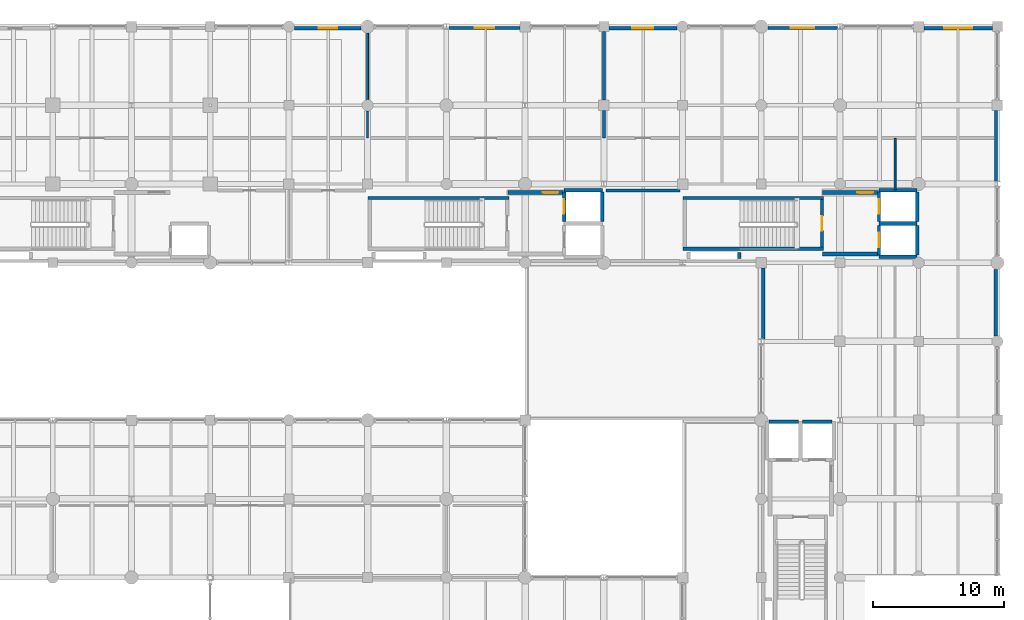
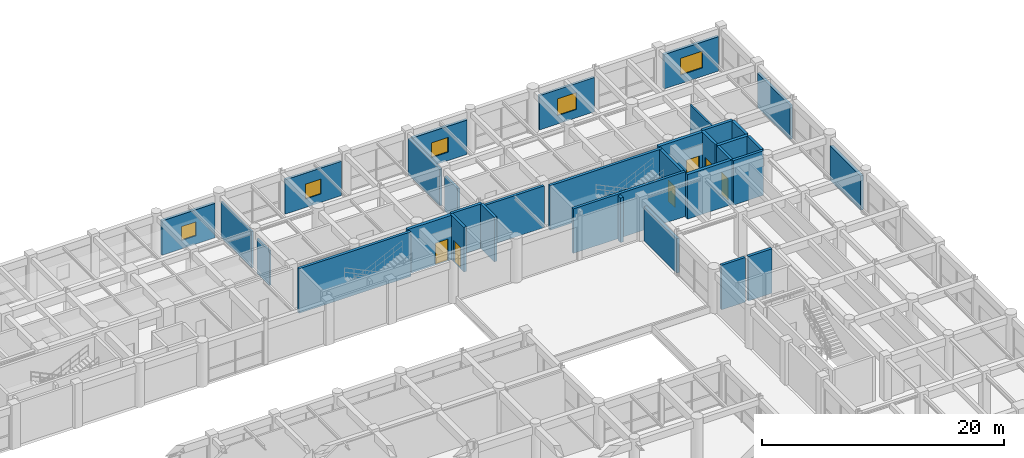
# One storey, part 109 of 133: 34 walls, 6 doors, 5 windows, 11 openings.
"""IFC4 building model written with IfcOpenShell, lengths in metres."""

from ifc_helpers import new_model, si_unit, direction, frame, frame_2d, origin, place, context, subcontext, project, spatial, rectangle, extrude, material, layer, layer_set, type_object, element, fill, save


model = new_model("IFC4")

# Units and contexts
model_context = context("Model", 3, precision=1e-05, world=origin(), true_north=direction((0.0, 1.0)))
body_context = subcontext(model_context, "Body", "Model", "MODEL_VIEW")
ifc_project = project(units=[si_unit("LENGTHUNIT", "METRE"), si_unit("AREAUNIT", "SQUARE_METRE"), si_unit("VOLUMEUNIT", "CUBIC_METRE"), si_unit("PLANEANGLEUNIT", "RADIAN"), si_unit("MASSUNIT", "GRAM", prefix="KILO"), si_unit("THERMODYNAMICTEMPERATUREUNIT", "KELVIN"), si_unit("POWERUNIT", "WATT")], contexts=[model_context])

# Site, building, storey
site_placement = place(None, origin())
site = spatial("IfcSite", under=ifc_project, at=site_placement, CompositionType="ELEMENT")
building_placement = place(site_placement, origin())
building = spatial("IfcBuilding", under=site, at=building_placement, Name="Phaisarnlok Congress Hotel", CompositionType="ELEMENT")
storey_placement = place(building_placement, frame((0.0, 0.0, 6.0)))
storey = spatial("IfcBuildingStorey", under=building, at=storey_placement, Name="L01", CompositionType="ELEMENT", Elevation=6.0)

# Wall
ifc_material_1 = material(Name="Concrete C40/50", Category="concrete")
ifc_layer_1 = layer(ifc_material_1, 0.22998046875, Name="Concrete C40/50")
ifc_layer_set_1 = layer_set([ifc_layer_1], Name="Concrete C40/50")
wall_type_1 = type_object("IfcWallType", Name="WL-EXT-230", PredefinedType="SOLIDWALL", material=ifc_layer_set_1)
wall_1_placement = place(storey_placement, frame((179.885009765625, 114.20458984375, 0.0), z_axis=(0.0, 0.0, 1.0), x_axis=(0.0, 1.0, 0.0)))
element("IfcWall", 1, at=wall_1_placement, inside=storey, type_object=wall_type_1, Name="Exterior wall EW-06 (L01)", PredefinedType="SOLIDWALL", context=body_context, shape_type="SweptSolid", body=[
    extrude(rectangle(XDim=5.390380859375, YDim=0.22998046875, at=frame_2d((2.6953125, 0.0))), origin(), (0.0, 0.0, 1.0), 3.469970703125),
])

# Wall, opening, window
wall_2_placement = place(storey_placement, frame((167.79443359375, 125.885009765625, 0.0), z_axis=(0.0, 0.0, 1.0), x_axis=(-1.0, 0.0, 0.0)))
wall_2 = element("IfcWall", 2, at=wall_2_placement, inside=storey, type_object=wall_type_1, Name="Exterior wall EW-06 (L01)", PredefinedType="SOLIDWALL", context=body_context, shape_type="SweptSolid", body=[
    extrude(rectangle(XDim=5.28955078125, YDim=0.22998046875, at=frame_2d((2.644775390625, 0.0))), origin(), (0.0, 0.0, 1.0), 3.469970703125),
])
opening_1_placement = place(wall_2_placement, frame((1.7451171875, 0.0, 0.85009765625)))
opening_1 = element("IfcOpeningElement", 3, at=opening_1_placement, cuts=wall_2, Name="Opening W-10", PredefinedType="OPENING", context=body_context, shape_type="SweptSolid", body=[
    extrude(rectangle(XDim=1.800048828125, YDim=1.699951171875, at=frame_2d((0.89990234375, 0.85009765625))), frame((0.0, 0.125, 0.0), z_axis=(0.0, -1.0, 0.0), x_axis=(1.0, 0.0, 0.0)), (0.0, 0.0, 1.0), 0.25),
])
ifc_material_2 = material(Name="Thermally Broken Aluminium & Low-E Double Glazing", Category="aluminium")
window_type_1 = type_object("IfcWindowType", Name="WIN-POD-1800", PartitioningType="SINGLE_PANEL", PredefinedType="WINDOW", material=ifc_material_2)
window_1_placement = place(opening_1_placement, origin())
window_1 = element("IfcWindow", 4, at=window_1_placement, inside=storey, type_object=window_type_1, Name="Podium window W-10 (L01)", OverallHeight=1.699951171875, OverallWidth=1.800048828125, PartitioningType="SINGLE_PANEL", PredefinedType="WINDOW", context=body_context, shape_type="SweptSolid", body=[
    extrude(rectangle(XDim=1.800048828125, YDim=1.699951171875, at=frame_2d((0.89990234375, 0.85009765625))), frame((0.0, 0.030029296875, 0.0), z_axis=(0.0, -1.0, 0.0), x_axis=(1.0, 0.0, 0.0)), (0.0, 0.0, 1.0), 0.06005859375),
])
fill(opening_1, window_1)

wall_3_placement = place(storey_placement, frame((143.594970703125, 125.885009765625, 0.0), z_axis=(0.0, 0.0, 1.0), x_axis=(-1.0, 0.0, 0.0)))
wall_3 = element("IfcWall", 5, at=wall_3_placement, inside=storey, type_object=wall_type_1, Name="Exterior wall EW-06 (L01)", PredefinedType="SOLIDWALL", context=body_context, shape_type="SweptSolid", body=[
    extrude(rectangle(XDim=5.389404296875, YDim=0.22998046875, at=frame_2d((2.69482421875, 0.0))), origin(), (0.0, 0.0, 1.0), 3.469970703125),
])
opening_2_placement = place(wall_3_placement, frame((1.945068359375, 0.0, 0.85009765625)))
opening_2 = element("IfcOpeningElement", 6, at=opening_2_placement, cuts=wall_3, Name="Opening W-12", PredefinedType="OPENING", context=body_context, shape_type="SweptSolid", body=[
    extrude(rectangle(XDim=1.5, YDim=1.5, at=frame_2d((0.75, 0.75))), frame((0.0, 0.125, 0.0), z_axis=(0.0, -1.0, 0.0), x_axis=(1.0, 0.0, 0.0)), (0.0, 0.0, 1.0), 0.25),
])
window_type_2 = type_object("IfcWindowType", Name="WIN-POD-1500", PartitioningType="SINGLE_PANEL", PredefinedType="WINDOW", material=ifc_material_2)
window_2_placement = place(opening_2_placement, origin())
window_2 = element("IfcWindow", 7, at=window_2_placement, inside=storey, type_object=window_type_2, Name="Podium window W-12 (L01)", OverallHeight=1.5, OverallWidth=1.5, PartitioningType="SINGLE_PANEL", PredefinedType="WINDOW", context=body_context, shape_type="SweptSolid", body=[
    extrude(rectangle(XDim=1.5, YDim=1.5, at=frame_2d((0.75, 0.75))), frame((0.0, 0.030029296875, 0.0), z_axis=(0.0, -1.0, 0.0), x_axis=(1.0, 0.0, 0.0)), (0.0, 0.0, 1.0), 0.06005859375),
])
fill(opening_2, window_2)

# Walls
ifc_layer_2 = layer(ifc_material_1, 0.27001953125, Name="Concrete C40/50")
ifc_layer_set_2 = layer_set([ifc_layer_2], Name="Concrete C40/50")
wall_type_2 = type_object("IfcWallType", Name="WL-EXT-270", PredefinedType="SOLIDWALL", material=ifc_layer_set_2)
wall_4_placement = place(storey_placement, frame((162.135009765625, 107.594970703125, 0.0), z_axis=(0.0, 0.0, 1.0), x_axis=(0.0, -1.0, 0.0)))
element("IfcWall", 8, at=wall_4_placement, inside=storey, type_object=wall_type_2, Name="Exterior wall EW-04 (L01)", PredefinedType="SOLIDWALL", context=body_context, shape_type="SweptSolid", body=[
    extrude(rectangle(XDim=5.390380859375, YDim=0.27001953125, at=frame_2d((2.6953125, 0.0))), origin(), (0.0, 0.0, 1.0), 3.469970703125),
])
wall_5_placement = place(storey_placement, frame((179.864990234375, 102.429931640625, 0.0), z_axis=(0.0, 0.0, 1.0), x_axis=(0.0, 1.0, 0.0)))
element("IfcWall", 9, at=wall_5_placement, inside=storey, type_object=wall_type_2, Name="Exterior wall EW-04 (L01)", PredefinedType="SOLIDWALL", context=body_context, shape_type="SweptSolid", body=[
    extrude(rectangle(XDim=5.065185546875, YDim=0.27001953125, at=frame_2d((2.53271484375, 0.0))), origin(), (0.0, 0.0, 1.0), 3.469970703125),
])

# Wall, opening, window
wall_6_placement = place(storey_placement, frame((179.6201171875, 125.864990234375, 0.0), z_axis=(0.0, 0.0, 1.0), x_axis=(-1.0, 0.0, 0.0)))
wall_6 = element("IfcWall", 10, at=wall_6_placement, inside=storey, type_object=wall_type_2, Name="Exterior wall EW-04 (L01)", PredefinedType="SOLIDWALL", context=body_context, shape_type="SweptSolid", body=[
    extrude(rectangle(XDim=5.215087890625, YDim=0.27001953125, at=frame_2d((2.607421875, 0.0))), origin(), (0.0, 0.0, 1.0), 3.469970703125),
])
opening_3_placement = place(wall_6_placement, frame((1.55810546875, 0.0, 0.85009765625)))
opening_3 = element("IfcOpeningElement", 11, at=opening_3_placement, cuts=wall_6, Name="Opening W-09", PredefinedType="OPENING", context=body_context, shape_type="SweptSolid", body=[
    extrude(rectangle(XDim=2.10009765625, YDim=1.699951171875, at=frame_2d((1.050048828125, 0.85009765625))), frame((0.0, 0.14501953125, 0.0), z_axis=(0.0, -1.0, 0.0), x_axis=(1.0, 0.0, 0.0)), (0.0, 0.0, 1.0), 0.2900390625),
])
window_type_3 = type_object("IfcWindowType", Name="WIN-POD-2100", PartitioningType="SINGLE_PANEL", PredefinedType="WINDOW", material=ifc_material_2)
window_3_placement = place(opening_3_placement, origin())
window_3 = element("IfcWindow", 12, at=window_3_placement, inside=storey, type_object=window_type_3, Name="Podium window W-09 (L01)", OverallHeight=1.699951171875, OverallWidth=2.10009765625, PartitioningType="SINGLE_PANEL", PredefinedType="WINDOW", context=body_context, shape_type="SweptSolid", body=[
    extrude(rectangle(XDim=2.10009765625, YDim=1.699951171875, at=frame_2d((1.050048828125, 0.85009765625))), frame((0.0, 0.030029296875, 0.0), z_axis=(0.0, -1.0, 0.0), x_axis=(1.0, 0.0, 0.0)), (0.0, 0.0, 1.0), 0.06005859375),
])
fill(opening_3, window_3)

wall_7_placement = place(storey_placement, frame((155.570068359375, 125.864990234375, 0.0), z_axis=(0.0, 0.0, 1.0), x_axis=(-1.0, 0.0, 0.0)))
wall_7 = element("IfcWall", 13, at=wall_7_placement, inside=storey, type_object=wall_type_2, Name="Exterior wall EW-04 (L01)", PredefinedType="SOLIDWALL", context=body_context, shape_type="SweptSolid", body=[
    extrude(rectangle(XDim=5.190185546875, YDim=0.27001953125, at=frame_2d((2.59521484375, 0.0))), origin(), (0.0, 0.0, 1.0), 3.469970703125),
])
opening_4_placement = place(wall_7_placement, frame((1.794921875, 0.0, 0.85009765625)))
opening_4 = element("IfcOpeningElement", 14, at=opening_4_placement, cuts=wall_7, Name="Opening W-11", PredefinedType="OPENING", context=body_context, shape_type="SweptSolid", body=[
    extrude(rectangle(XDim=1.60009765625, YDim=1.5, at=frame_2d((0.800048828125, 0.75))), frame((0.0, 0.14501953125, 0.0), z_axis=(0.0, -1.0, 0.0), x_axis=(1.0, 0.0, 0.0)), (0.0, 0.0, 1.0), 0.2900390625),
])
window_type_4 = type_object("IfcWindowType", Name="WIN-POD-1600", PartitioningType="SINGLE_PANEL", PredefinedType="WINDOW", material=ifc_material_2)
window_4_placement = place(opening_4_placement, origin())
window_4 = element("IfcWindow", 15, at=window_4_placement, inside=storey, type_object=window_type_4, Name="Podium window W-11 (L01)", OverallHeight=1.5, OverallWidth=1.60009765625, PartitioningType="SINGLE_PANEL", PredefinedType="WINDOW", context=body_context, shape_type="SweptSolid", body=[
    extrude(rectangle(XDim=1.60009765625, YDim=1.5, at=frame_2d((0.800048828125, 0.75))), frame((0.0, 0.030029296875, 0.0), z_axis=(0.0, -1.0, 0.0), x_axis=(1.0, 0.0, 0.0)), (0.0, 0.0, 1.0), 0.06005859375),
])
fill(opening_4, window_4)

wall_8_placement = place(storey_placement, frame((131.4951171875, 125.864990234375, 0.0), z_axis=(0.0, 0.0, 1.0), x_axis=(-1.0, 0.0, 0.0)))
wall_8 = element("IfcWall", 16, at=wall_8_placement, inside=storey, type_object=wall_type_2, Name="Exterior wall EW-04 (L01)", PredefinedType="SOLIDWALL", context=body_context, shape_type="SweptSolid", body=[
    extrude(rectangle(XDim=5.065185546875, YDim=0.27001953125, at=frame_2d((2.53271484375, 0.0))), origin(), (0.0, 0.0, 1.0), 3.469970703125),
])
opening_5_placement = place(wall_8_placement, frame((1.83203125, 0.0, 0.85009765625)))
opening_5 = element("IfcOpeningElement", 17, at=opening_5_placement, cuts=wall_8, Name="Opening W-13", PredefinedType="OPENING", context=body_context, shape_type="SweptSolid", body=[
    extrude(rectangle(XDim=1.39990234375, YDim=1.39990234375, at=frame_2d((0.699951171875, 0.699951171875))), frame((0.0, 0.14501953125, 0.0), z_axis=(0.0, -1.0, 0.0), x_axis=(1.0, 0.0, 0.0)), (0.0, 0.0, 1.0), 0.2900390625),
])
window_type_5 = type_object("IfcWindowType", Name="WIN-POD-1400", PartitioningType="SINGLE_PANEL", PredefinedType="WINDOW", material=ifc_material_2)
window_5_placement = place(opening_5_placement, origin())
window_5 = element("IfcWindow", 18, at=window_5_placement, inside=storey, type_object=window_type_5, Name="Podium window W-13 (L01)", OverallHeight=1.39990234375, OverallWidth=1.39990234375, PartitioningType="SINGLE_PANEL", PredefinedType="WINDOW", context=body_context, shape_type="SweptSolid", body=[
    extrude(rectangle(XDim=1.39990234375, YDim=1.39990234375, at=frame_2d((0.699951171875, 0.699951171875))), frame((0.0, 0.030029296875, 0.0), z_axis=(0.0, -1.0, 0.0), x_axis=(1.0, 0.0, 0.0)), (0.0, 0.0, 1.0), 0.06005859375),
])
fill(opening_5, window_5)

# Walls
ifc_material_3 = material(Name="Acoustic Gypsum Board & Mineral Wool", Category="gypsum")
ifc_layer_3 = layer(ifc_material_3, 0.14990234375, Name="Acoustic Gypsum Board & Mineral Wool")
ifc_layer_set_3 = layer_set([ifc_layer_3], Name="Acoustic Gypsum Board & Mineral Wool")
wall_type_3 = type_object("IfcWallType", Name="WL-INT-150", PredefinedType="PARTITIONING", material=ifc_layer_set_3)
wall_9_placement = place(storey_placement, frame((132.0, 120.429931640625, 0.0), z_axis=(0.0, 0.0, 1.0), x_axis=(0.0, 1.0, 0.0)))
element("IfcWall", 19, at=wall_9_placement, inside=storey, type_object=wall_type_3, Name="Interior partition wall IW-05 (L01)", PredefinedType="PARTITIONING", context=body_context, shape_type="SweptSolid", body=[
    extrude(rectangle(XDim=5.065185546875, YDim=0.14990234375, at=frame_2d((2.53271484375, 0.0))), origin(), (0.0, 0.0, 1.0), 3.669921875),
])
wall_10_placement = place(storey_placement, frame((172.199951171875, 113.56005859375, 0.0), z_axis=(0.0, 0.0, 1.0), x_axis=(0.0, 1.0, 0.0)))
element("IfcWall", 20, at=wall_10_placement, inside=storey, type_object=wall_type_3, Name="Interior partition wall IW-05 (L01)", PredefinedType="PARTITIONING", context=body_context, shape_type="SweptSolid", body=[
    extrude(rectangle(XDim=3.93994140625, YDim=0.14990234375, at=frame_2d((1.969970703125, 0.0))), origin(), (0.0, 0.0, 1.0), 4.219970703125),
])
ifc_material_4 = material(Name="Double-Stud Acoustic Gypsum Partition", Category="gypsum")
ifc_layer_4 = layer(ifc_material_4, 0.159912109375, Name="Double-Stud Acoustic Gypsum Partition")
ifc_layer_set_4 = layer_set([ifc_layer_4], Name="Double-Stud Acoustic Gypsum Partition")
wall_type_4 = type_object("IfcWallType", Name="WL-INT-160", PredefinedType="PARTITIONING", material=ifc_layer_set_4)
wall_11_placement = place(storey_placement, frame((132.0, 117.5, 0.0), z_axis=(0.0, 0.0, 1.0), x_axis=(0.0, 1.0, 0.0)))
element("IfcWall", 21, at=wall_11_placement, inside=storey, type_object=wall_type_4, Name="Interior partition wall IW-04 (L01)", PredefinedType="PARTITIONING", context=body_context, shape_type="SweptSolid", body=[
    extrude(rectangle(XDim=2.070068359375, YDim=0.159912109375, at=frame_2d((1.03515625, 0.0))), origin(), (0.0, 0.0, 1.0), 3.52001953125),
])
ifc_layer_5 = layer(ifc_material_1, 0.239990234375, Name="Concrete C40/50")
ifc_layer_set_5 = layer_set([ifc_layer_5], Name="Concrete C40/50")
wall_type_5 = type_object("IfcWallType", Name="WL-INT-240", PredefinedType="PARTITIONING", material=ifc_layer_set_5)
wall_12_placement = place(storey_placement, frame((150.0, 117.5, 0.0), z_axis=(0.0, 0.0, 1.0), x_axis=(0.0, 1.0, 0.0)))
element("IfcWall", 22, at=wall_12_placement, inside=storey, type_object=wall_type_5, Name="Interior partition wall IW-01 (L01)", PredefinedType="PARTITIONING", context=body_context, shape_type="SweptSolid", body=[
    extrude(rectangle(XDim=2.094970703125, YDim=0.239990234375, at=frame_2d((1.04736328125, 0.0))), origin(), (0.0, 0.0, 1.0), 3.52001953125),
])
wall_13_placement = place(storey_placement, frame((150.0, 120.405029296875, 0.0), z_axis=(0.0, 0.0, 1.0), x_axis=(0.0, 1.0, 0.0)))
element("IfcWall", 23, at=wall_13_placement, inside=storey, type_object=wall_type_5, Name="Interior partition wall IW-01 (L01)", PredefinedType="PARTITIONING", context=body_context, shape_type="SweptSolid", body=[
    extrude(rectangle(XDim=5.215087890625, YDim=0.239990234375, at=frame_2d((2.607421875, 0.0))), origin(), (0.0, 0.0, 1.0), 3.669921875),
])
wall_14_placement = place(storey_placement, frame((150.179931640625, 113.5, 0.0), z_axis=(0.0, 0.0, 1.0), x_axis=(1.0, 0.0, 0.0)))
element("IfcWall", 24, at=wall_14_placement, inside=storey, type_object=wall_type_5, Name="Interior partition wall IW-01 (L01)", PredefinedType="PARTITIONING", context=body_context, shape_type="SweptSolid", body=[
    extrude(rectangle(XDim=5.64013671875, YDim=0.239990234375, at=frame_2d((2.820068359375, 0.0))), origin(), (0.0, 0.0, 1.0), 4.219970703125),
])
ifc_material_5 = material(Name="Concrete C50/60", Category="concrete")
ifc_layer_6 = layer(ifc_material_5, 0.260009765625, Name="Concrete C50/60")
ifc_layer_set_6 = layer_set([ifc_layer_6], Name="Concrete C50/60")
wall_type_6 = type_object("IfcWallType", Name="WL-SHR-260", PredefinedType="SHEAR", material=ifc_layer_set_6)
for number, where, z_axis, x_axis, name in (
    (25, (156.0400390625, 109.070068359375, 0.0), (0.0, 0.0, 1.0), (1.0, 0.0, 0.0), "Stair shaft shear wall SW-04 (CORE-1 L01)"),
    (26, (156.0400390625, 112.929931640625, 0.0), (0.0, 0.0, 1.0), (1.0, 0.0, 0.0), "Stair shaft shear wall SW-04 (CORE-1 L01)"),
):
    element("IfcWall", number, at=place(storey_placement, frame(where, z_axis=z_axis, x_axis=x_axis)), inside=storey, type_object=wall_type_6, Name=name, PredefinedType="SHEAR", context=body_context, shape_type="SweptSolid", body=[
        extrude(rectangle(XDim=10.719970703125, YDim=0.260009765625, at=frame_2d((5.35986328125, 0.0))), origin(), (0.0, 0.0, 1.0), 4.5),
    ])

# Wall, opening, door
wall_15_placement = place(storey_placement, frame((166.6298828125, 109.199951171875, 0.0), z_axis=(0.0, 0.0, 1.0), x_axis=(0.0, 1.0, 0.0)))
wall_15 = element("IfcWall", 27, at=wall_15_placement, inside=storey, type_object=wall_type_6, Name="Stair shaft shear wall SW-04 (CORE-1 L01)", PredefinedType="SHEAR", context=body_context, shape_type="SweptSolid", body=[
    extrude(rectangle(XDim=3.60009765625, YDim=0.260009765625, at=frame_2d((1.800048828125, 0.0))), origin(), (0.0, 0.0, 1.0), 4.5),
])
opening_6_placement = place(wall_15_placement, frame((1.25, 0.0, 0.0)))
opening_6 = element("IfcOpeningElement", 28, at=opening_6_placement, cuts=wall_15, Name="Opening FD-003", PredefinedType="OPENING", context=body_context, shape_type="SweptSolid", body=[
    extrude(rectangle(XDim=1.10009765625, YDim=2.14990234375, at=frame_2d((0.550048828125, 1.074951171875))), frame((0.0, 0.14013671875, 0.0), z_axis=(0.0, -1.0, 0.0), x_axis=(1.0, 0.0, 0.0)), (0.0, 0.0, 1.0), 0.280029296875),
])
ifc_material_6 = material(Name="Fire-Rated Steel Frame & Timber Leaf", Category="steel")
door_type_1 = type_object("IfcDoorType", Name="DR-FD60-1100", OperationType="NOTDEFINED", PredefinedType="DOOR", material=ifc_material_6)
door_1_placement = place(opening_6_placement, origin())
door_1 = element("IfcDoor", 29, at=door_1_placement, inside=storey, type_object=door_type_1, Name="Stair enclosure fire door FD-003 (L01)", OperationType="SINGLE_SWING_RIGHT", OverallHeight=2.14990234375, OverallWidth=1.10009765625, PredefinedType="DOOR", context=body_context, shape_type="SweptSolid", body=[
    extrude(rectangle(XDim=1.10009765625, YDim=2.14990234375, at=frame_2d((0.550048828125, 1.074951171875))), frame((0.0, 0.02490234375, 0.0), z_axis=(0.0, -1.0, 0.0), x_axis=(1.0, 0.0, 0.0)), (0.0, 0.0, 1.0), 0.050048828125),
])
fill(opening_6, door_1)

# Walls
wall_16_placement = place(storey_placement, frame((170.969970703125, 108.469970703125, 0.0), z_axis=(0.0, 0.0, 1.0), x_axis=(1.0, 0.0, 0.0)))
element("IfcWall", 30, at=wall_16_placement, inside=storey, type_object=wall_type_6, Name="Lift shaft shear wall SW-04 (LF-FF1 L01)", PredefinedType="SHEAR", context=body_context, shape_type="SweptSolid", body=[
    extrude(rectangle(XDim=2.909912109375, YDim=0.260009765625, at=frame_2d((1.455078125, 0.0))), origin(), (0.0, 0.0, 1.0), 4.5),
])
wall_17_placement = place(storey_placement, frame((173.8798828125, 108.60009765625, 0.0), z_axis=(0.0, 0.0, 1.0), x_axis=(0.0, 1.0, 0.0)))
element("IfcWall", 31, at=wall_17_placement, inside=storey, type_object=wall_type_6, Name="Lift shaft shear wall SW-04 (LF-FF1 L01)", PredefinedType="SHEAR", context=body_context, shape_type="SweptSolid", body=[
    extrude(rectangle(XDim=2.25, YDim=0.260009765625, at=frame_2d((1.125, 0.0))), origin(), (0.0, 0.0, 1.0), 4.5),
])

# Wall, opening, door
wall_18_placement = place(storey_placement, frame((170.969970703125, 108.60009765625, 0.0), z_axis=(0.0, 0.0, 1.0), x_axis=(0.0, 1.0, 0.0)))
wall_18 = element("IfcWall", 32, at=wall_18_placement, inside=storey, type_object=wall_type_6, Name="Lift shaft front wall SW-04 (LF-FF1 L01)", PredefinedType="SHEAR", context=body_context, shape_type="SweptSolid", body=[
    extrude(rectangle(XDim=2.25, YDim=0.260009765625, at=frame_2d((1.125, 0.0))), origin(), (0.0, 0.0, 1.0), 4.5),
])
opening_7_placement = place(wall_18_placement, frame((0.574951171875, 0.0, 0.0)))
opening_7 = element("IfcOpeningElement", 33, at=opening_7_placement, cuts=wall_18, Name="Opening LD-003", PredefinedType="OPENING", context=body_context, shape_type="SweptSolid", body=[
    extrude(rectangle(XDim=1.10009765625, YDim=2.199951171875, at=frame_2d((0.550048828125, 1.10009765625))), frame((0.0, 0.14013671875, 0.0), z_axis=(0.0, -1.0, 0.0), x_axis=(1.0, 0.0, 0.0)), (0.0, 0.0, 1.0), 0.280029296875),
])
ifc_material_7 = material(Name="Brushed Stainless Steel Grade 304", Category="steel")
door_type_2 = type_object("IfcDoorType", Name="DR-LD-1100", OperationType="DOUBLE_DOOR_SLIDING", PredefinedType="DOOR", material=ifc_material_7)
door_2_placement = place(opening_7_placement, origin())
door_2 = element("IfcDoor", 34, at=door_2_placement, inside=storey, type_object=door_type_2, Name="Lift landing sliding door LD-003 (LF-FF1 L01)", OperationType="DOUBLE_DOOR_SLIDING", OverallHeight=2.199951171875, OverallWidth=1.10009765625, PredefinedType="DOOR", context=body_context, shape_type="SweptSolid", body=[
    extrude(rectangle(XDim=1.10009765625, YDim=2.199951171875, at=frame_2d((0.550048828125, 1.10009765625))), frame((0.0, 0.02490234375, 0.0), z_axis=(0.0, -1.0, 0.0), x_axis=(1.0, 0.0, 0.0)), (0.0, 0.0, 1.0), 0.050048828125),
])
fill(opening_7, door_2)

# Walls
wall_19_placement = place(storey_placement, frame((170.969970703125, 113.530029296875, 0.0), z_axis=(0.0, 0.0, 1.0), x_axis=(1.0, 0.0, 0.0)))
element("IfcWall", 35, at=wall_19_placement, inside=storey, type_object=wall_type_6, Name="Lift shaft shear wall SW-04 (LF-HP1 L01)", PredefinedType="SHEAR", context=body_context, shape_type="SweptSolid", body=[
    extrude(rectangle(XDim=2.909912109375, YDim=0.260009765625, at=frame_2d((1.455078125, 0.0))), origin(), (0.0, 0.0, 1.0), 4.5),
])
wall_20_placement = place(storey_placement, frame((173.8798828125, 111.14990234375, 0.0), z_axis=(0.0, 0.0, 1.0), x_axis=(0.0, 1.0, 0.0)))
element("IfcWall", 36, at=wall_20_placement, inside=storey, type_object=wall_type_6, Name="Lift shaft shear wall SW-04 (LF-HP1 L01)", PredefinedType="SHEAR", context=body_context, shape_type="SweptSolid", body=[
    extrude(rectangle(XDim=2.25, YDim=0.260009765625, at=frame_2d((1.125, 0.0))), origin(), (0.0, 0.0, 1.0), 4.5),
])

# Wall, opening, door
wall_21_placement = place(storey_placement, frame((170.969970703125, 111.14990234375, 0.0), z_axis=(0.0, 0.0, 1.0), x_axis=(0.0, 1.0, 0.0)))
wall_21 = element("IfcWall", 37, at=wall_21_placement, inside=storey, type_object=wall_type_6, Name="Lift shaft front wall SW-04 (LF-HP1 L01)", PredefinedType="SHEAR", context=body_context, shape_type="SweptSolid", body=[
    extrude(rectangle(XDim=2.25, YDim=0.260009765625, at=frame_2d((1.125, 0.0))), origin(), (0.0, 0.0, 1.0), 4.5),
])
opening_8_placement = place(wall_21_placement, frame((0.574951171875, 0.0, 0.0)))
opening_8 = element("IfcOpeningElement", 38, at=opening_8_placement, cuts=wall_21, Name="Opening LD-018", PredefinedType="OPENING", context=body_context, shape_type="SweptSolid", body=[
    extrude(rectangle(XDim=1.10009765625, YDim=2.199951171875, at=frame_2d((0.550048828125, 1.10009765625))), frame((0.0, 0.14013671875, 0.0), z_axis=(0.0, -1.0, 0.0), x_axis=(1.0, 0.0, 0.0)), (0.0, 0.0, 1.0), 0.280029296875),
])
door_3_placement = place(opening_8_placement, origin())
door_3 = element("IfcDoor", 39, at=door_3_placement, inside=storey, type_object=door_type_2, Name="Lift landing sliding door LD-018 (LF-HP1 L01)", OperationType="DOUBLE_DOOR_SLIDING", OverallHeight=2.199951171875, OverallWidth=1.10009765625, PredefinedType="DOOR", context=body_context, shape_type="SweptSolid", body=[
    extrude(rectangle(XDim=1.10009765625, YDim=2.199951171875, at=frame_2d((0.550048828125, 1.10009765625))), frame((0.0, 0.02490234375, 0.0), z_axis=(0.0, -1.0, 0.0), x_axis=(1.0, 0.0, 0.0)), (0.0, 0.0, 1.0), 0.050048828125),
])
fill(opening_8, door_3)

# Walls
wall_22_placement = place(storey_placement, frame((160.330078125, 108.330078125, 0.0), z_axis=(0.0, 0.0, 1.0), x_axis=(0.0, 1.0, 0.0)))
element("IfcWall", 40, at=wall_22_placement, inside=storey, type_object=wall_type_6, Name="Service riser shaft wall SW-04 (CORE-1 L01)", PredefinedType="SHEAR", context=body_context, shape_type="SweptSolid", body=[
    extrude(rectangle(XDim=0.43994140625, YDim=0.260009765625, at=frame_2d((0.219970703125, 0.0))), origin(), (0.0, 0.0, 1.0), 4.5),
])
wall_23_placement = place(storey_placement, frame((132.0400390625, 112.929931640625, 0.0), z_axis=(0.0, 0.0, 1.0), x_axis=(1.0, 0.0, 0.0)))
element("IfcWall", 41, at=wall_23_placement, inside=storey, type_object=wall_type_6, Name="Stair shaft shear wall SW-04 (CORE-2 L01)", PredefinedType="SHEAR", context=body_context, shape_type="SweptSolid", body=[
    extrude(rectangle(XDim=10.719970703125, YDim=0.260009765625, at=frame_2d((5.35986328125, 0.0))), origin(), (0.0, 0.0, 1.0), 4.5),
])
wall_24_placement = place(storey_placement, frame((146.969970703125, 113.530029296875, 0.0), z_axis=(0.0, 0.0, 1.0), x_axis=(1.0, 0.0, 0.0)))
element("IfcWall", 42, at=wall_24_placement, inside=storey, type_object=wall_type_6, Name="Lift shaft shear wall SW-04 (LF-HP2 L01)", PredefinedType="SHEAR", context=body_context, shape_type="SweptSolid", body=[
    extrude(rectangle(XDim=2.909912109375, YDim=0.260009765625, at=frame_2d((1.455078125, 0.0))), origin(), (0.0, 0.0, 1.0), 4.5),
])
wall_25_placement = place(storey_placement, frame((149.8798828125, 111.14990234375, 0.0), z_axis=(0.0, 0.0, 1.0), x_axis=(0.0, 1.0, 0.0)))
element("IfcWall", 43, at=wall_25_placement, inside=storey, type_object=wall_type_6, Name="Lift shaft shear wall SW-04 (LF-HP2 L01)", PredefinedType="SHEAR", context=body_context, shape_type="SweptSolid", body=[
    extrude(rectangle(XDim=2.25, YDim=0.260009765625, at=frame_2d((1.125, 0.0))), origin(), (0.0, 0.0, 1.0), 4.5),
])

# Wall, opening, door
wall_26_placement = place(storey_placement, frame((146.969970703125, 111.14990234375, 0.0), z_axis=(0.0, 0.0, 1.0), x_axis=(0.0, 1.0, 0.0)))
wall_26 = element("IfcWall", 44, at=wall_26_placement, inside=storey, type_object=wall_type_6, Name="Lift shaft front wall SW-04 (LF-HP2 L01)", PredefinedType="SHEAR", context=body_context, shape_type="SweptSolid", body=[
    extrude(rectangle(XDim=2.25, YDim=0.260009765625, at=frame_2d((1.125, 0.0))), origin(), (0.0, 0.0, 1.0), 4.5),
])
opening_9_placement = place(wall_26_placement, frame((0.574951171875, 0.0, 0.0)))
opening_9 = element("IfcOpeningElement", 45, at=opening_9_placement, cuts=wall_26, Name="Opening LD-048", PredefinedType="OPENING", context=body_context, shape_type="SweptSolid", body=[
    extrude(rectangle(XDim=1.10009765625, YDim=2.199951171875, at=frame_2d((0.550048828125, 1.10009765625))), frame((0.0, 0.14013671875, 0.0), z_axis=(0.0, -1.0, 0.0), x_axis=(1.0, 0.0, 0.0)), (0.0, 0.0, 1.0), 0.280029296875),
])
door_4_placement = place(opening_9_placement, origin())
door_4 = element("IfcDoor", 46, at=door_4_placement, inside=storey, type_object=door_type_2, Name="Lift landing sliding door LD-048 (LF-HP2 L01)", OperationType="DOUBLE_DOOR_SLIDING", OverallHeight=2.199951171875, OverallWidth=1.10009765625, PredefinedType="DOOR", context=body_context, shape_type="SweptSolid", body=[
    extrude(rectangle(XDim=1.10009765625, YDim=2.199951171875, at=frame_2d((0.550048828125, 1.10009765625))), frame((0.0, 0.02490234375, 0.0), z_axis=(0.0, -1.0, 0.0), x_axis=(1.0, 0.0, 0.0)), (0.0, 0.0, 1.0), 0.050048828125),
])
fill(opening_9, door_4)

# Walls
for number, where, z_axis, x_axis, name in (
    (47, (162.60009765625, 95.8798828125, 0.0), (0.0, 0.0, 1.0), (1.0, 0.0, 0.0), "Lift shaft shear wall SW-04 (LF-HP3 L01)"),
    (48, (165.14990234375, 95.8798828125, 0.0), (0.0, 0.0, 1.0), (1.0, 0.0, 0.0), "Lift shaft shear wall SW-04 (LF-SV1 L01)"),
):
    element("IfcWall", number, at=place(storey_placement, frame(where, z_axis=z_axis, x_axis=x_axis)), inside=storey, type_object=wall_type_6, Name=name, PredefinedType="SHEAR", context=body_context, shape_type="SweptSolid", body=[
        extrude(rectangle(XDim=2.25, YDim=0.260009765625, at=frame_2d((1.125, 0.0))), origin(), (0.0, 0.0, 1.0), 4.5),
    ])
ifc_layer_7 = layer(ifc_material_5, 0.300048828125, Name="Concrete C50/60")
ifc_layer_set_7 = layer_set([ifc_layer_7], Name="Concrete C50/60")
wall_type_7 = type_object("IfcWallType", Name="WL-SHR-300", PredefinedType="SHEAR", material=ifc_layer_set_7)
wall_27_placement = place(storey_placement, frame((170.969970703125, 111.0, 0.0), z_axis=(0.0, 0.0, 1.0), x_axis=(1.0, 0.0, 0.0)))
element("IfcWall", 49, at=wall_27_placement, inside=storey, type_object=wall_type_7, Name="Lift shaft divider shear wall SW-03 (LF-FF1 L01)", PredefinedType="SHEAR", context=body_context, shape_type="SweptSolid", body=[
    extrude(rectangle(XDim=2.909912109375, YDim=0.300048828125, at=frame_2d((1.455078125, 0.0))), origin(), (0.0, 0.0, 1.0), 4.5),
])

# Wall, opening, door
wall_28_placement = place(storey_placement, frame((166.679931640625, 113.35009765625, 0.0), z_axis=(0.0, 0.0, 1.0), x_axis=(1.0, 0.0, 0.0)))
wall_28 = element("IfcWall", 50, at=wall_28_placement, inside=storey, type_object=wall_type_7, Name="Core lobby EI-120 wall SW-03 (CORE-1 L01)", PredefinedType="SHEAR", context=body_context, shape_type="SweptSolid", body=[
    extrude(rectangle(XDim=4.239990234375, YDim=0.300048828125, at=frame_2d((2.1201171875, 0.0))), origin(), (0.0, 0.0, 1.0), 4.5),
])
opening_10_placement = place(wall_28_placement, frame((2.64990234375, 0.0, 0.0)))
opening_10 = element("IfcOpeningElement", 51, at=opening_10_placement, cuts=wall_28, Name="Opening FD-018", PredefinedType="OPENING", context=body_context, shape_type="SweptSolid", body=[
    extrude(rectangle(XDim=1.199951171875, YDim=2.199951171875, at=frame_2d((0.60009765625, 1.10009765625))), frame((0.0, 0.16015625, 0.0), z_axis=(0.0, -1.0, 0.0), x_axis=(1.0, 0.0, 0.0)), (0.0, 0.0, 1.0), 0.320068359375),
])
door_type_3 = type_object("IfcDoorType", Name="DR-FD60-1200", OperationType="NOTDEFINED", PredefinedType="DOOR", material=ifc_material_6)
door_5_placement = place(opening_10_placement, origin())
door_5 = element("IfcDoor", 52, at=door_5_placement, inside=storey, type_object=door_type_3, Name="Firefighting lobby entrance door FD-018 (CORE-1 L01)", OperationType="SINGLE_SWING_LEFT", OverallHeight=2.199951171875, OverallWidth=1.199951171875, PredefinedType="DOOR", context=body_context, shape_type="SweptSolid", body=[
    extrude(rectangle(XDim=1.199951171875, YDim=2.199951171875, at=frame_2d((0.60009765625, 1.10009765625))), frame((0.0, 0.02490234375, 0.0), z_axis=(0.0, -1.0, 0.0), x_axis=(1.0, 0.0, 0.0)), (0.0, 0.0, 1.0), 0.050048828125),
])
fill(opening_10, door_5)

# Wall
wall_29_placement = place(storey_placement, frame((166.679931640625, 108.64990234375, 0.0), z_axis=(0.0, 0.0, 1.0), x_axis=(1.0, 0.0, 0.0)))
element("IfcWall", 53, at=wall_29_placement, inside=storey, type_object=wall_type_7, Name="Core lobby EI-120 wall SW-03 (CORE-1 L01)", PredefinedType="SHEAR", context=body_context, shape_type="SweptSolid", body=[
    extrude(rectangle(XDim=4.239990234375, YDim=0.300048828125, at=frame_2d((2.1201171875, 0.0))), origin(), (0.0, 0.0, 1.0), 4.5),
])

# Wall, opening, door
wall_30_placement = place(storey_placement, frame((142.679931640625, 113.35009765625, 0.0), z_axis=(0.0, 0.0, 1.0), x_axis=(1.0, 0.0, 0.0)))
wall_30 = element("IfcWall", 54, at=wall_30_placement, inside=storey, type_object=wall_type_7, Name="Core lobby EI-120 wall SW-03 (CORE-2 L01)", PredefinedType="SHEAR", context=body_context, shape_type="SweptSolid", body=[
    extrude(rectangle(XDim=4.239990234375, YDim=0.300048828125, at=frame_2d((2.1201171875, 0.0))), origin(), (0.0, 0.0, 1.0), 4.5),
])
opening_11_placement = place(wall_30_placement, frame((2.64990234375, 0.0, 0.0)))
opening_11 = element("IfcOpeningElement", 55, at=opening_11_placement, cuts=wall_30, Name="Opening FD-048", PredefinedType="OPENING", context=body_context, shape_type="SweptSolid", body=[
    extrude(rectangle(XDim=1.199951171875, YDim=2.199951171875, at=frame_2d((0.60009765625, 1.10009765625))), frame((0.0, 0.16015625, 0.0), z_axis=(0.0, -1.0, 0.0), x_axis=(1.0, 0.0, 0.0)), (0.0, 0.0, 1.0), 0.320068359375),
])
door_6_placement = place(opening_11_placement, origin())
door_6 = element("IfcDoor", 56, at=door_6_placement, inside=storey, type_object=door_type_3, Name="Firefighting lobby entrance door FD-048 (CORE-2 L01)", OperationType="SINGLE_SWING_LEFT", OverallHeight=2.199951171875, OverallWidth=1.199951171875, PredefinedType="DOOR", context=body_context, shape_type="SweptSolid", body=[
    extrude(rectangle(XDim=1.199951171875, YDim=2.199951171875, at=frame_2d((0.60009765625, 1.10009765625))), frame((0.0, 0.02490234375, 0.0), z_axis=(0.0, -1.0, 0.0), x_axis=(1.0, 0.0, 0.0)), (0.0, 0.0, 1.0), 0.050048828125),
])
fill(opening_11, door_6)

save(model, "model.ifc")
